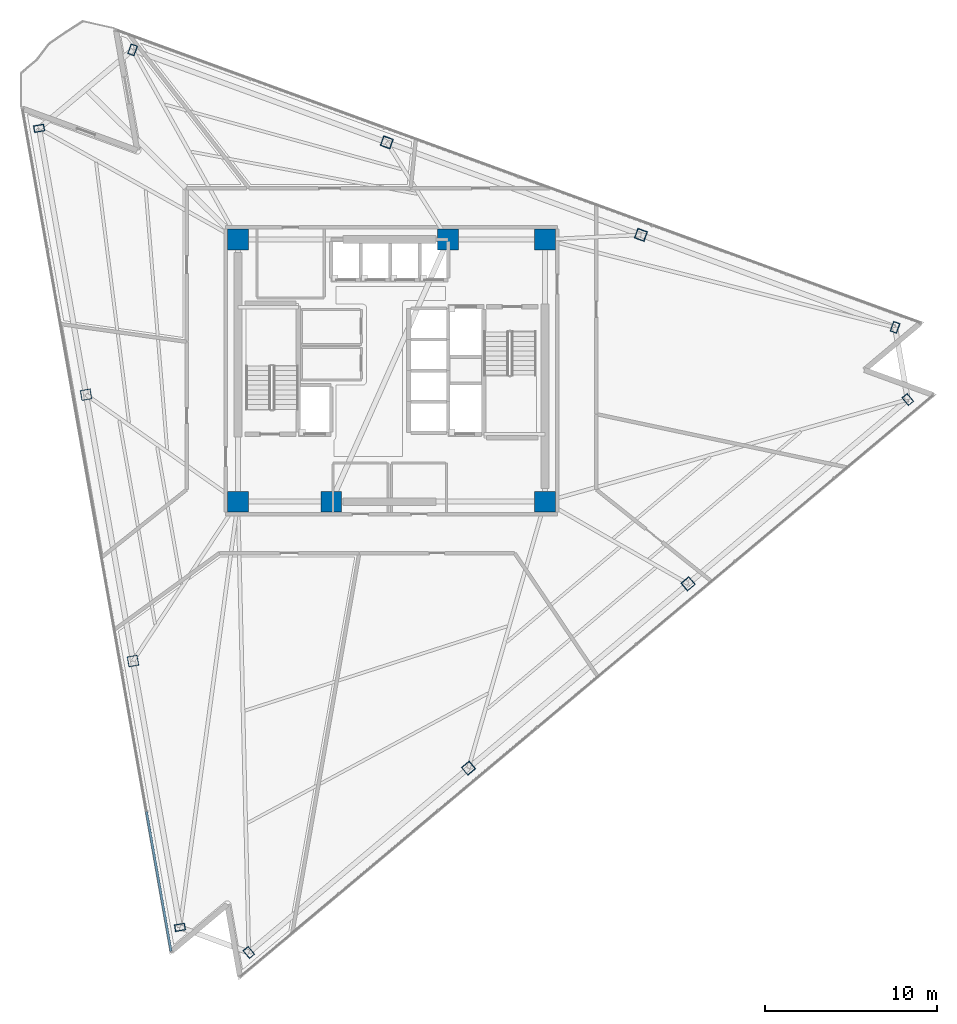
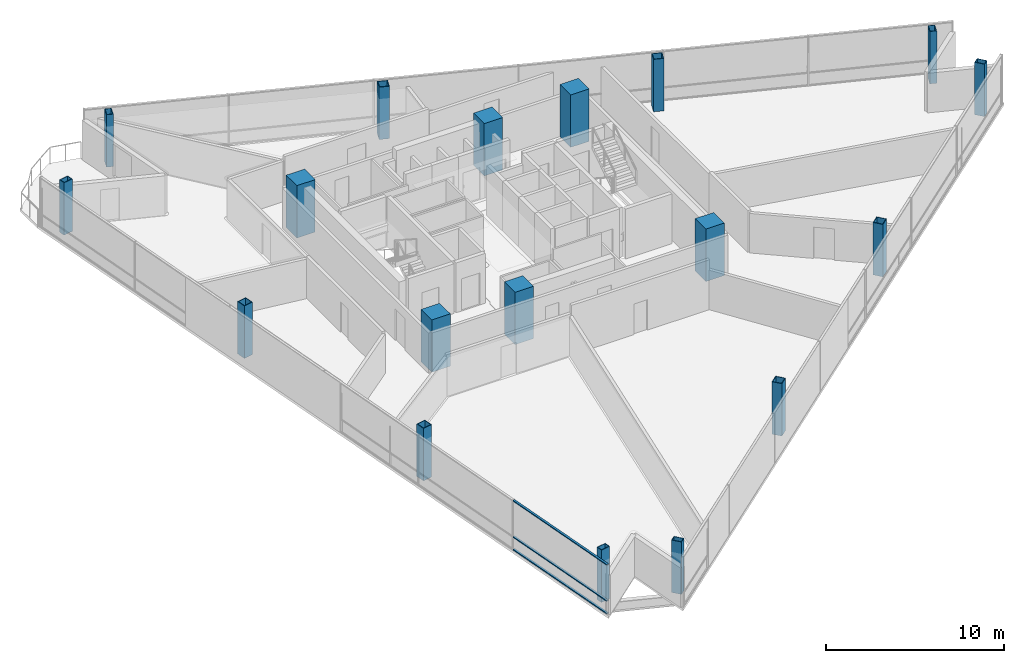
# One storey, part 1 of 16: 18 columns, 3 members, 1 element without a shape of its own.
"""IFC4 building model written with IfcOpenShell, lengths in metres."""

from ifc_helpers import new_model, si_unit, direction, frame, origin, origin_2d, place, context, subcontext, project, spatial, rectangle, hollow_rectangle, extrude, material, layer, layer_set, material_profile, profile_set, type_object, element, aggregate, save


model = new_model("IFC4")

# Units and contexts
model_context = context("Model", 3, precision=1e-05, world=origin(), true_north=direction((0.0, 1.0)))
body_context = subcontext(model_context, "Body", "Model", "MODEL_VIEW")
ifc_project = project(units=[si_unit("LENGTHUNIT", "METRE"), si_unit("AREAUNIT", "SQUARE_METRE"), si_unit("VOLUMEUNIT", "CUBIC_METRE"), si_unit("PLANEANGLEUNIT", "RADIAN"), si_unit("MASSUNIT", "GRAM", prefix="KILO")], contexts=[model_context])

# Site, building, storey
site_placement = place(None, origin())
site = spatial("IfcSite", under=ifc_project, at=site_placement, CompositionType="ELEMENT")
building_placement = place(site_placement, origin())
building = spatial("IfcBuilding", under=site, at=building_placement, Name="Tharavind Bronze Gate", CompositionType="ELEMENT")
storey_placement = place(building_placement, frame((0.0, 0.0, 181.300048828125)))
storey = spatial("IfcBuildingStorey", under=building, at=storey_placement, Name="L46", CompositionType="ELEMENT", Elevation=181.300048828125)

# Columns
ifc_material_1 = material(Name="Steel S460", Category="steel")
ifc_material_profile_1 = material_profile(ifc_material_1, hollow_rectangle(XDim=0.39990234375, YDim=0.60009765625, WallThickness=0.030029296875, at=origin_2d()), Name="RHS600X400X30")
ifc_profile_set_1 = profile_set([ifc_material_profile_1], Name="Steel S460")
column_type_1 = type_object("IfcColumnType", Name="CORNER NOTCH COLUMN RHS600X400", PredefinedType="COLUMN", material=ifc_profile_set_1)
for number, where, z_axis, x_axis, name in (
    (1, (-20.4326171875, 14.043212890625, 0.0), (0.0, 0.0, 1.0), (-0.173648177667, 0.984807753012, 0.0), "L46 perimeter column S1C1"),
    (2, (-12.263916015625, -32.2841796875, 0.0), (0.0, 0.0, 1.0), (-0.173648177667, 0.984807753012, 0.0), "L46 perimeter column S1C4"),
    (3, (-8.27197265625, -33.737060546875, 0.0), (0.0, 0.0, 1.0), (0.766043321242, 0.642788946685, 0.0), "L46 perimeter column S2C1"),
    (4, (29.933837890625, -1.6787109375, 0.0), (0.0, 0.0, 1.0), (0.766043321242, 0.642788946685, 0.0), "L46 perimeter column S2C4"),
    (5, (29.1962890625, 2.5048828125, 0.0), (0.0, 0.0, 1.0), (-0.939692023847, 0.342021783398, 0.0), "L46 perimeter column S3C1"),
    (6, (-15.0087890625, 18.59423828125, 0.0), (0.0, 0.0, 1.0), (-0.939692023847, 0.342021783398, 0.0), "L46 perimeter column S3C4"),
):
    element("IfcColumn", number, at=place(storey_placement, frame(where, z_axis=z_axis, x_axis=x_axis)), inside=storey, type_object=column_type_1, Name=name, PredefinedType="COLUMN", context=body_context, shape_type="SweptSolid", body=[
        extrude(hollow_rectangle(XDim=0.39990234375, YDim=0.60009765625, WallThickness=0.030029296875, at=origin_2d()), origin(), (0.0, 0.0, 1.0), 3.599853515625),
    ])
ifc_material_2 = material(Name="Concrete C60/75", Category="concrete")
ifc_material_profile_2 = material_profile(ifc_material_2, rectangle(XDim=1.199951171875, YDim=1.199951171875, at=origin_2d()), Name="RCCOL1200")
ifc_profile_set_2 = profile_set([ifc_material_profile_2], Name="Concrete C60/75")
column_type_2 = type_object("IfcColumnType", Name="MEGA CORE COLUMN 1200", PredefinedType="COLUMN", material=ifc_profile_set_2)
for number, where, z_axis, x_axis, name in (
    (7, (-8.89990234375, -7.60009765625, 0.0), (0.0, 0.0, 1.0), (1.0, 0.0, 0.0), "L46 core mega column MC1"),
    (8, (-3.5, -7.60009765625, 0.0), (0.0, 0.0, 1.0), (1.0, 0.0, 0.0), "L46 core mega column MC2"),
    (9, (8.89990234375, -7.60009765625, 0.0), (0.0, 0.0, 1.0), (1.0, 0.0, 0.0), "L46 core mega column MC3"),
    (10, (8.89990234375, 7.60009765625, 0.0), (0.0, 0.0, 1.0), (1.0, 0.0, 0.0), "L46 core mega column MC4"),
    (11, (3.280029296875, 7.60009765625, 0.0), (0.0, 0.0, 1.0), (1.0, 0.0, 0.0), "L46 core mega column MC5"),
    (12, (-8.89990234375, 7.60009765625, 0.0), (0.0, 0.0, 1.0), (1.0, 0.0, 0.0), "L46 core mega column MC6"),
):
    element("IfcColumn", number, at=place(storey_placement, frame(where, z_axis=z_axis, x_axis=x_axis)), inside=storey, type_object=column_type_2, Name=name, PredefinedType="COLUMN", context=body_context, shape_type="SweptSolid", body=[
        extrude(rectangle(XDim=1.199951171875, YDim=1.199951171875, at=origin_2d()), origin(), (0.0, 0.0, 1.0), 3.599853515625),
    ])
ifc_material_profile_3 = material_profile(ifc_material_1, hollow_rectangle(XDim=0.60009765625, YDim=0.60009765625, WallThickness=0.035888671875, at=origin_2d()), Name="SHS600X36")
ifc_profile_set_3 = profile_set([ifc_material_profile_3], Name="Steel S460")
column_type_3 = type_object("IfcColumnType", Name="PERIMETER BOX COLUMN SHS600", PredefinedType="COLUMN", material=ifc_profile_set_3)
for number, where, z_axis, x_axis, name in (
    (13, (-17.709716796875, -1.3994140625, 0.0), (0.0, 0.0, 1.0), (-0.173648177667, 0.984807753012, 0.0), "L46 perimeter column S1C2"),
    (14, (-14.98681640625, -16.841796875, 0.0), (0.0, 0.0, 1.0), (-0.173648177667, 0.984807753012, 0.0), "L46 perimeter column S1C3"),
    (15, (4.46337890625, -23.05078125, 0.0), (0.0, 0.0, 1.0), (0.766043321242, 0.642788946685, 0.0), "L46 perimeter column S2C2"),
    (16, (17.198486328125, -12.36474609375, 0.0), (0.0, 0.0, 1.0), (0.766043321242, 0.642788946685, 0.0), "L46 perimeter column S2C3"),
    (17, (14.461181640625, 7.867919921875, 0.0), (0.0, 0.0, 1.0), (-0.939692023847, 0.342021783398, 0.0), "L46 perimeter column S3C2"),
    (18, (-0.27392578125, 13.231201171875, 0.0), (0.0, 0.0, 1.0), (-0.939692023847, 0.342021783398, 0.0), "L46 perimeter column S3C3"),
):
    element("IfcColumn", number, at=place(storey_placement, frame(where, z_axis=z_axis, x_axis=x_axis)), inside=storey, type_object=column_type_3, Name=name, PredefinedType="COLUMN", context=body_context, shape_type="SweptSolid", body=[
        extrude(hollow_rectangle(XDim=0.60009765625, YDim=0.60009765625, WallThickness=0.035888671875, at=origin_2d()), origin(), (0.0, 0.0, 1.0), 3.599853515625),
    ])

# Curtain wall, members
ifc_material_3 = material(Name="Anodised Bronze Aluminium", Category="aluminium")
ifc_layer = layer(ifc_material_3, 0.219970703125)
ifc_layer_set = layer_set([ifc_layer], Name="Anodised Bronze Aluminium")
curtain_wall_type = type_object("IfcCurtainWallType", Name="UNITISED CURTAIN WALL MID OFFICE", PredefinedType="USERDEFINED", material=ifc_layer_set)
curtain_wall_placement = place(storey_placement, origin())
curtain_wall = element("IfcCurtainWall", 19, at=curtain_wall_placement, inside=storey, type_object=curtain_wall_type, Name="L46 unitised curtain wall mid office CW-L46-S1", ObjectType="UNITISED CURTAIN WALL", PredefinedType="USERDEFINED")
member_type = type_object("IfcMemberType", Name="CURTAIN WALL BRONZE TRANSOM 65X140", PredefinedType="USERDEFINED", material=ifc_material_3)
member_1_placement = place(storey_placement, frame((-13.4951171875, -29.6201171875, 0.0), z_axis=(0.0, 0.0, 1.0), x_axis=(0.173648177667, -0.984807753012, 0.0)))
member_1 = element("IfcMember", 20, at=member_1_placement, type_object=member_type, Name="CW-L46-S1 transom TB6", ObjectType="TRANSOM", PredefinedType="USERDEFINED", context=body_context, shape_type="SweptSolid", body=[
    extrude(rectangle(XDim=8.220458984375, YDim=0.139892578125, at=origin_2d()), origin(), (0.0, 0.0, 1.0), 0.06494140625),
])
member_2_placement = place(storey_placement, frame((-13.4951171875, -29.6201171875, 0.867431640625), z_axis=(0.0, 0.0, 1.0), x_axis=(0.173648177667, -0.984807753012, 0.0)))
member_2 = element("IfcMember", 21, at=member_2_placement, type_object=member_type, Name="CW-L46-S1 transom TS6", ObjectType="TRANSOM", PredefinedType="USERDEFINED", context=body_context, shape_type="SweptSolid", body=[
    extrude(rectangle(XDim=8.220458984375, YDim=0.139892578125, at=origin_2d()), origin(), (0.0, 0.0, 1.0), 0.06494140625),
])
member_3_placement = place(storey_placement, frame((-13.4951171875, -29.6201171875, 3.35498046875), z_axis=(0.0, 0.0, 1.0), x_axis=(0.173648177667, -0.984807753012, 0.0)))
member_3 = element("IfcMember", 22, at=member_3_placement, type_object=member_type, Name="CW-L46-S1 transom TT6", ObjectType="TRANSOM", PredefinedType="USERDEFINED", context=body_context, shape_type="SweptSolid", body=[
    extrude(rectangle(XDim=8.220458984375, YDim=0.139892578125, at=origin_2d()), origin(), (0.0, 0.0, 1.0), 0.06494140625),
])
aggregate(curtain_wall, [member_1, member_2, member_3])

save(model, "model.ifc")
